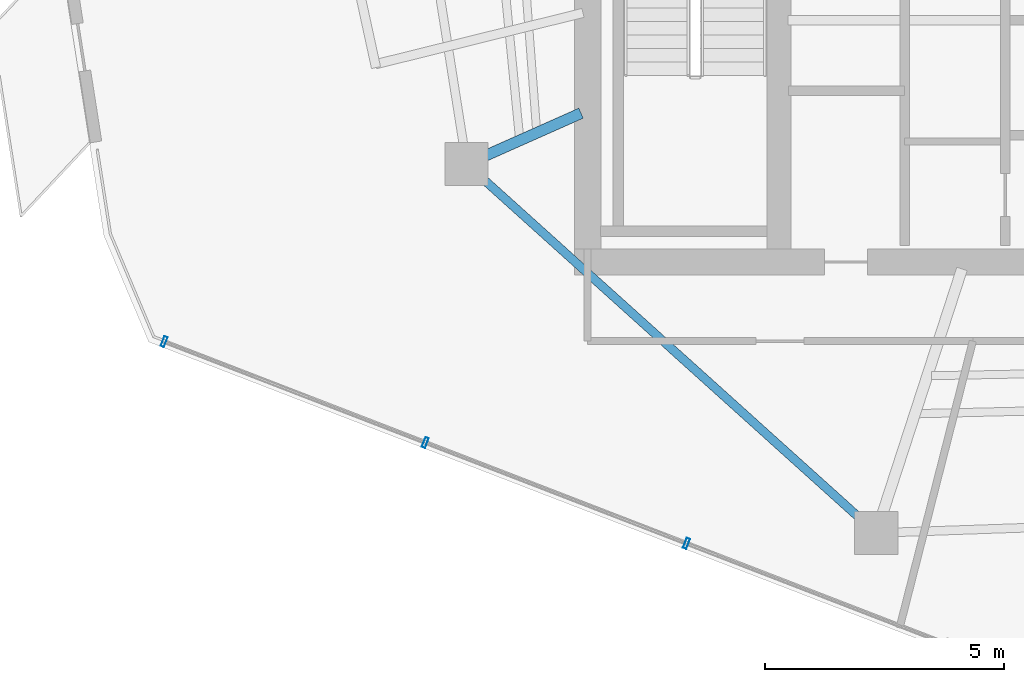
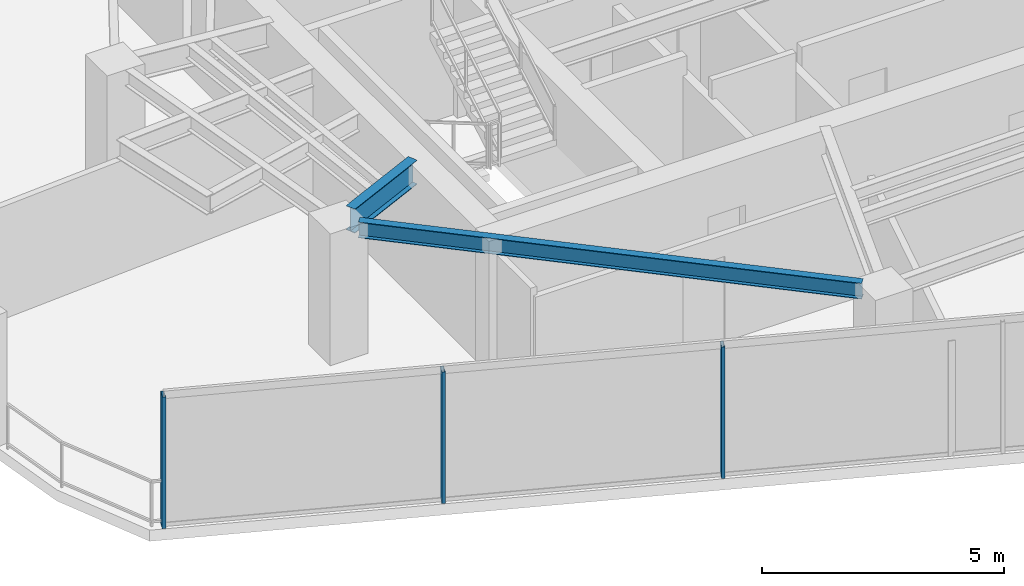
# One storey, part 2 of 19: 3 members, 2 beams, 1 element without a shape of its own.
"""IFC4 building model written with IfcOpenShell, lengths in metres."""

import ifcopenshell
import ifcopenshell.guid

model = None  # the IFC model being written
_history = None  # IfcOwnerHistory: only IFC2X3 demands one
_inside = {}  # id of a spatial element -> (the spatial element, [elements in it])
_under = {}  # id of a project, library or spatial element -> (it, [spatial elements below it])
_declared = {}  # id of a project -> (the project, [libraries it declares])
_typed = {}  # id of a type object -> (the type object, [elements of that type])
_made_of = {}  # id of a material, layer set ... -> (it, [elements and type objects made of it])


def new_model(schema):
    """Start an empty IFC model of exactly this schema.

    Asked for "IFC4X3", IfcOpenShell would pick the latest addendum, in which some entities
    have other attributes; the version numbers below select the first issue.
    IFC2X3 requires an IfcOwnerHistory on every rooted entity: one is made here for all.
    """
    global model, _history
    if schema == "IFC4X3":
        model = ifcopenshell.file(schema_version=(4, 3, 0, 0))
    else:
        model = ifcopenshell.file(schema=schema)
    _inside.clear()
    _under.clear()
    _declared.clear()
    _typed.clear()
    _made_of.clear()
    _history = None
    if model.schema == "IFC2X3":
        org = make("IfcOrganization", Name="unknown")
        user = make(
            "IfcPersonAndOrganization",
            ThePerson=make("IfcPerson", FamilyName="unknown"),
            TheOrganization=org,
        )
        app = make(
            "IfcApplication",
            ApplicationDeveloper=org,
            Version="unknown",
            ApplicationFullName="unknown",
            ApplicationIdentifier="unknown",
        )
        _history = make(
            "IfcOwnerHistory",
            OwningUser=user,
            OwningApplication=app,
            ChangeAction="ADDED",
            CreationDate=0,
        )
    return model


def make(cls, **values):
    """One entity of the class cls with the attributes given. An attribute that is None is left unset."""
    return model.create_entity(
        cls, **{name: value for name, value in values.items() if value is not None}
    )


def rooted(cls, **values):
    """An entity with a GlobalId (a new one), such as an element, a storey or a relation."""
    return make(cls, GlobalId=ifcopenshell.guid.new(), OwnerHistory=_history, **values)


def si_unit(unit_type, name, prefix=None):
    """IfcSIUnit, for example si_unit("LENGTHUNIT", "METRE", prefix="MILLI")."""
    return make("IfcSIUnit", UnitType=unit_type, Prefix=prefix, Name=name)


def assignment(units):
    """IfcUnitAssignment: the units of a project."""
    return None if units is None else make("IfcUnitAssignment", Units=units)


def point(xyz):
    """IfcCartesianPoint."""
    return None if xyz is None else make("IfcCartesianPoint", Coordinates=xyz)


def direction(xyz):
    """IfcDirection."""
    return None if xyz is None else make("IfcDirection", DirectionRatios=xyz)


def frame(location, z_axis=None, x_axis=None):
    """IfcAxis2Placement3D, a coordinate frame: its origin and axes. An axis left out is left unset."""
    return make(
        "IfcAxis2Placement3D",
        Location=point(location),
        Axis=direction(z_axis),
        RefDirection=direction(x_axis),
    )


def frame_2d(location, x_axis=None):
    """IfcAxis2Placement2D, a coordinate frame in the plane: its origin and x axis."""
    return make(
        "IfcAxis2Placement2D", Location=point(location), RefDirection=direction(x_axis)
    )


def origin():
    """The frame at (0, 0, 0) with its axes left unset."""
    return frame((0.0, 0.0, 0.0))


def origin_2d():
    """The frame at (0, 0) in the plane with its x axis left unset."""
    return frame_2d((0.0, 0.0))


def place(relative_to, where):
    """IfcLocalPlacement: puts the frame where relative to a parent placement (None: the world)."""
    return make(
        "IfcLocalPlacement", PlacementRelTo=relative_to, RelativePlacement=where
    )


def context(
    kind, dimensions, precision=None, world=None, true_north=None, identifier=None
):
    """IfcGeometricRepresentationContext, for example the 3D "Model" context."""
    return make(
        "IfcGeometricRepresentationContext",
        ContextIdentifier=identifier,
        ContextType=kind,
        CoordinateSpaceDimension=dimensions,
        Precision=precision,
        WorldCoordinateSystem=world,
        TrueNorth=true_north,
    )


def subcontext(parent, identifier, kind, view, scale=None):
    """IfcGeometricRepresentationSubContext, for example "Body" below "Model"."""
    return make(
        "IfcGeometricRepresentationSubContext",
        ContextIdentifier=identifier,
        ContextType=kind,
        ParentContext=parent,
        TargetScale=scale,
        TargetView=view,
    )


def project(units=None, contexts=None):
    """IfcProject with its units and contexts."""
    return rooted(
        "IfcProject",
        Name="project",
        RepresentationContexts=contexts,
        UnitsInContext=assignment(units),
    )


def spatial(cls, under=None, at=None, **own):
    """A site, building, storey or space (cls), placed at a placement, below another one or the project."""
    s = rooted(cls, ObjectPlacement=at, **own)
    if under is not None:
        _under.setdefault(under.id(), (under, []))[1].append(s)
    return s


def profile(cls, at=None, kind="AREA", **sizes):
    """A parametric profile (cls). Its sizes go by their IFC names, for example OverallWidth=200.0."""
    return make(cls, ProfileType=kind, Position=at, **sizes)


def hollow_rectangle(**sizes):
    """IfcRectangleHollowProfileDef."""
    return profile("IfcRectangleHollowProfileDef", **sizes)


def i_section(**sizes):
    """IfcIShapeProfileDef."""
    return profile("IfcIShapeProfileDef", **sizes)


def extrude(swept, where, along, depth):
    """IfcExtrudedAreaSolid: the profile swept, set in the frame where, extruded along a direction by depth."""
    return make(
        "IfcExtrudedAreaSolid",
        SweptArea=swept,
        Position=where,
        ExtrudedDirection=direction(along),
        Depth=depth,
    )


def shape(context_of_items, identifier, shape_type, items):
    """IfcShapeRepresentation: the items that make up one representation, for example the "Body"."""
    return make(
        "IfcShapeRepresentation",
        ContextOfItems=context_of_items,
        RepresentationIdentifier=identifier,
        RepresentationType=shape_type,
        Items=items,
    )


def material(Name=None, Category=None):
    """IfcMaterial."""
    return make("IfcMaterial", Name=Name, Category=Category)


def layer(
    of_material, thickness, ventilated=None, Name=None, Category=None, Priority=None
):
    """IfcMaterialLayer: one layer of a wall or slab, of a material (None: an air gap)."""
    return make(
        "IfcMaterialLayer",
        Material=of_material,
        LayerThickness=thickness,
        IsVentilated=ventilated,
        Name=Name,
        Category=Category,
        Priority=Priority,
    )


def layer_set(layers, Name=None):
    """IfcMaterialLayerSet."""
    return make("IfcMaterialLayerSet", MaterialLayers=layers, LayerSetName=Name)


def material_profile(
    of_material, cross_section, Name=None, Category=None, Priority=None
):
    """IfcMaterialProfile: a cross section and its material."""
    return make(
        "IfcMaterialProfile",
        Name=Name,
        Material=of_material,
        Profile=cross_section,
        Priority=Priority,
        Category=Category,
    )


def profile_set(profiles, Name=None, composite=None):
    """IfcMaterialProfileSet."""
    return make(
        "IfcMaterialProfileSet",
        Name=Name,
        MaterialProfiles=profiles,
        CompositeProfile=composite,
    )


def made_of(thing, what):
    """Note that an element or type object is made of a material, layer set ...; save() writes the relation."""
    if what is not None:
        _made_of.setdefault(what.id(), (what, []))[1].append(thing)
    return thing


def type_object(cls, material=None, **own):
    """A type object (cls), such as IfcWallType, which elements share."""
    return made_of(rooted(cls, **own), material)


def element(
    cls,
    number,
    at=None,
    inside=None,
    cuts=None,
    type_object=None,
    material=None,
    context=None,
    identifier="Body",
    shape_type=None,
    held_by="IfcProductDefinitionShape",
    body=None,
    shapes=None,
    **own,
):
    """One element of the class cls, such as IfcWall. Its Tag is "e" and its number.

    at: its placement. inside: the storey or other place that contains it. cuts: it is an
    opening in that element (IfcRelVoidsElement). A single representation is given by context,
    identifier, shape_type and body (its items); several are given by shapes. held_by: the class
    of the entity that holds the representations. save() writes the other relations.
    """
    e = rooted(cls, Tag="e%d" % number, ObjectPlacement=at, **own)
    if body is not None:
        shapes = [shape(context, identifier, shape_type, body)]
    if shapes is not None:
        e.Representation = make(held_by, Representations=shapes)
    if inside is not None:
        _inside.setdefault(inside.id(), (inside, []))[1].append(e)
    if cuts is not None:
        rooted(
            "IfcRelVoidsElement", RelatingBuildingElement=cuts, RelatedOpeningElement=e
        )
    if type_object is not None:
        _typed.setdefault(type_object.id(), (type_object, []))[1].append(e)
    return made_of(e, material)


def aggregate(whole, parts):
    """IfcRelAggregates: a whole, such as a stair, and the parts it consists of."""
    return rooted("IfcRelAggregates", RelatingObject=whole, RelatedObjects=parts)


def save(model, path):
    """Write the relations noted so far, then the file.

    IfcRelAggregates (storeys below a building ...), IfcRelContainedInSpatialStructure (elements
    in a storey), IfcRelDefinesByType, IfcRelAssociatesMaterial and IfcRelDeclares: one each for
    every whole, place, type object, material and project.
    """
    for whole, parts in _under.values():
        aggregate(whole, parts)
    for where, things in _inside.values():
        rooted(
            "IfcRelContainedInSpatialStructure",
            RelatedElements=things,
            RelatingStructure=where,
        )
    for kind, things in _typed.values():
        rooted("IfcRelDefinesByType", RelatedObjects=things, RelatingType=kind)
    for what, things in _made_of.values():
        rooted("IfcRelAssociatesMaterial", RelatedObjects=things, RelatingMaterial=what)
    for by, libraries in _declared.values():
        rooted("IfcRelDeclares", RelatingContext=by, RelatedDefinitions=libraries)
    model.write(path)


model = new_model("IFC4")

# Units and contexts
model_context = context("Model", 3, precision=1e-05, world=origin(), true_north=direction((0.0, 1.0)))
body_context = subcontext(model_context, "Body", "Model", "MODEL_VIEW")
ifc_project = project(units=[si_unit("LENGTHUNIT", "METRE"), si_unit("AREAUNIT", "SQUARE_METRE"), si_unit("VOLUMEUNIT", "CUBIC_METRE"), si_unit("PLANEANGLEUNIT", "RADIAN"), si_unit("MASSUNIT", "GRAM", prefix="KILO")], contexts=[model_context])

# Site, building, storey
site_placement = place(None, origin())
site = spatial("IfcSite", under=ifc_project, at=site_placement, CompositionType="ELEMENT")
building_placement = place(site_placement, origin())
building = spatial("IfcBuilding", under=site, at=building_placement, Name="Qarnah Convention Tower", CompositionType="ELEMENT")
storey_placement = place(building_placement, frame((0.0, 0.0, 213.0)))
storey = spatial("IfcBuildingStorey", under=building, at=storey_placement, Name="L57", CompositionType="ELEMENT", Elevation=213.0)

# Beams
ifc_material_1 = material(Name="Structural steel S355JR", Category="steel")
ifc_material_profile_1 = material_profile(ifc_material_1, i_section(OverallWidth=0.22802734375, OverallDepth=0.60791015625, WebThickness=0.010986328125, FlangeThickness=0.01708984375, at=origin_2d()), Name="W610X113")
ifc_profile_set_1 = profile_set([ifc_material_profile_1], Name="Structural steel S355JR")
beam_type_1 = type_object("IfcBeamType", Name="BM-RAD-W610B", PredefinedType="BEAM", material=ifc_profile_set_1)
beam_1_placement = place(storey_placement, frame((26.6630859375, 21.708984375, 3.01611328125), z_axis=(-0.913585734164, -0.406646168471, 0.0), x_axis=(0.406646168471, -0.913585734164, 0.0)))
element("IfcBeam", 1, at=beam_1_placement, inside=storey, type_object=beam_type_1, Name="L57 beam BM-L57-RAD-06", PredefinedType="BEAM", context=body_context, shape_type="SweptSolid", body=[
    extrude(i_section(OverallWidth=0.22802734375, OverallDepth=0.60791015625, WebThickness=0.010986328125, FlangeThickness=0.01708984375, at=origin_2d()), origin(), (0.0, 0.0, 1.0), 2.18603515625),
])
ifc_material_profile_2 = material_profile(ifc_material_1, i_section(OverallWidth=0.179931640625, OverallDepth=0.39990234375, WebThickness=0.009033203125, FlangeThickness=0.013916015625, at=origin_2d()), Name="IPE400")
ifc_profile_set_2 = profile_set([ifc_material_profile_2], Name="Structural steel S355JR")
beam_type_2 = type_object("IfcBeamType", Name="BM-SPN-IPE400", PredefinedType="SPANDREL", material=ifc_profile_set_2)
beam_2_placement = place(storey_placement, frame((24.60009765625, 20.35107421875, 3.1201171875), z_axis=(0.743102275255, -0.669177860147, 0.0), x_axis=(0.669177860147, 0.743102275255, 0.0)))
element("IfcBeam", 2, at=beam_2_placement, inside=storey, type_object=beam_type_2, Name="L57 spandrel BM-L57-SPN-06", PredefinedType="SPANDREL", context=body_context, shape_type="SweptSolid", body=[
    extrude(i_section(OverallWidth=0.179931640625, OverallDepth=0.39990234375, WebThickness=0.009033203125, FlangeThickness=0.013916015625, at=origin_2d()), origin(), (0.0, 0.0, 1.0), 10.630859375),
])

# Curtain wall, members
ifc_material_2 = material(Name="Tempered Low-E dark glass", Category="glass")
ifc_layer = layer(ifc_material_2, 0.174072265625)
ifc_layer_set = layer_set([ifc_layer], Name="Tempered Low-E dark glass")
curtain_wall_type = type_object("IfcCurtainWallType", Name="CWS-04", PredefinedType="NOTDEFINED", material=ifc_layer_set)
curtain_wall_placement = place(storey_placement, origin())
curtain_wall = element("IfcCurtainWall", 3, at=curtain_wall_placement, inside=storey, type_object=curtain_wall_type, Name="L57 unitised curtain wall CW-L57-F1", PredefinedType="NOTDEFINED")
ifc_material_3 = material(Name="Black anodised aluminium", Category="aluminium")
ifc_material_profile_3 = material_profile(ifc_material_3, hollow_rectangle(XDim=0.074951171875, YDim=0.219970703125, WallThickness=0.0048828125, at=origin_2d()), Name="MUL-75X220")
ifc_profile_set_3 = profile_set([ifc_material_profile_3], Name="Black anodised aluminium")
member_type = type_object("IfcMemberType", Name="MUL-T4", PredefinedType="MULLION", material=ifc_profile_set_3)
member_1_placement = place(storey_placement, frame((28.86474609375, 12.723876953125, 0.0), z_axis=(0.0, 0.0, 1.0), x_axis=(-0.932820872374, 0.360340422465, 0.0)))
member_1 = element("IfcMember", 4, at=member_1_placement, type_object=member_type, Name="CW-L57-F1 mullion 4", PredefinedType="MULLION", context=body_context, shape_type="SweptSolid", body=[
    extrude(hollow_rectangle(XDim=0.074951171875, YDim=0.219970703125, WallThickness=0.0048828125, at=origin_2d()), origin(), (0.0, 0.0, 1.0), 3.320068359375),
])
member_2_placement = place(storey_placement, frame((23.411376953125, 14.830322265625, 0.0), z_axis=(0.0, 0.0, 1.0), x_axis=(-0.932820872374, 0.360340422465, 0.0)))
member_2 = element("IfcMember", 5, at=member_2_placement, type_object=member_type, Name="CW-L57-F1 mullion 5", PredefinedType="MULLION", context=body_context, shape_type="SweptSolid", body=[
    extrude(hollow_rectangle(XDim=0.074951171875, YDim=0.219970703125, WallThickness=0.0048828125, at=origin_2d()), origin(), (0.0, 0.0, 1.0), 3.320068359375),
])
member_3_placement = place(storey_placement, frame((17.9580078125, 16.93701171875, 0.0), z_axis=(0.0, 0.0, 1.0), x_axis=(-0.932820872374, 0.360340422465, 0.0)))
member_3 = element("IfcMember", 6, at=member_3_placement, type_object=member_type, Name="CW-L57-F1 mullion 6", PredefinedType="MULLION", context=body_context, shape_type="SweptSolid", body=[
    extrude(hollow_rectangle(XDim=0.074951171875, YDim=0.219970703125, WallThickness=0.0048828125, at=origin_2d()), origin(), (0.0, 0.0, 1.0), 3.320068359375),
])
aggregate(curtain_wall, [member_1, member_2, member_3])

save(model, "model.ifc")
